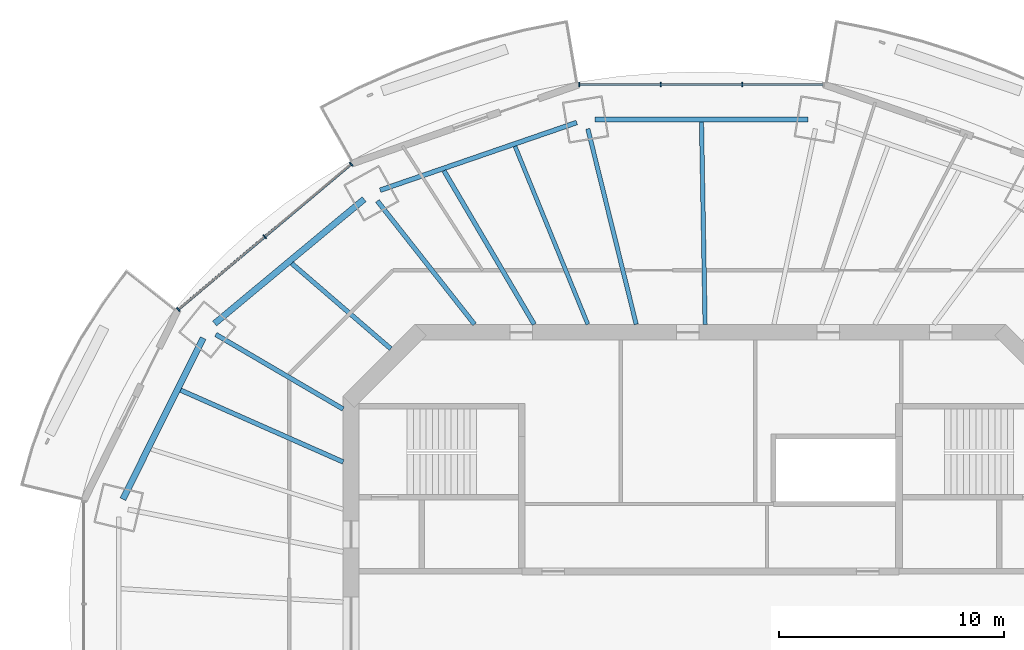
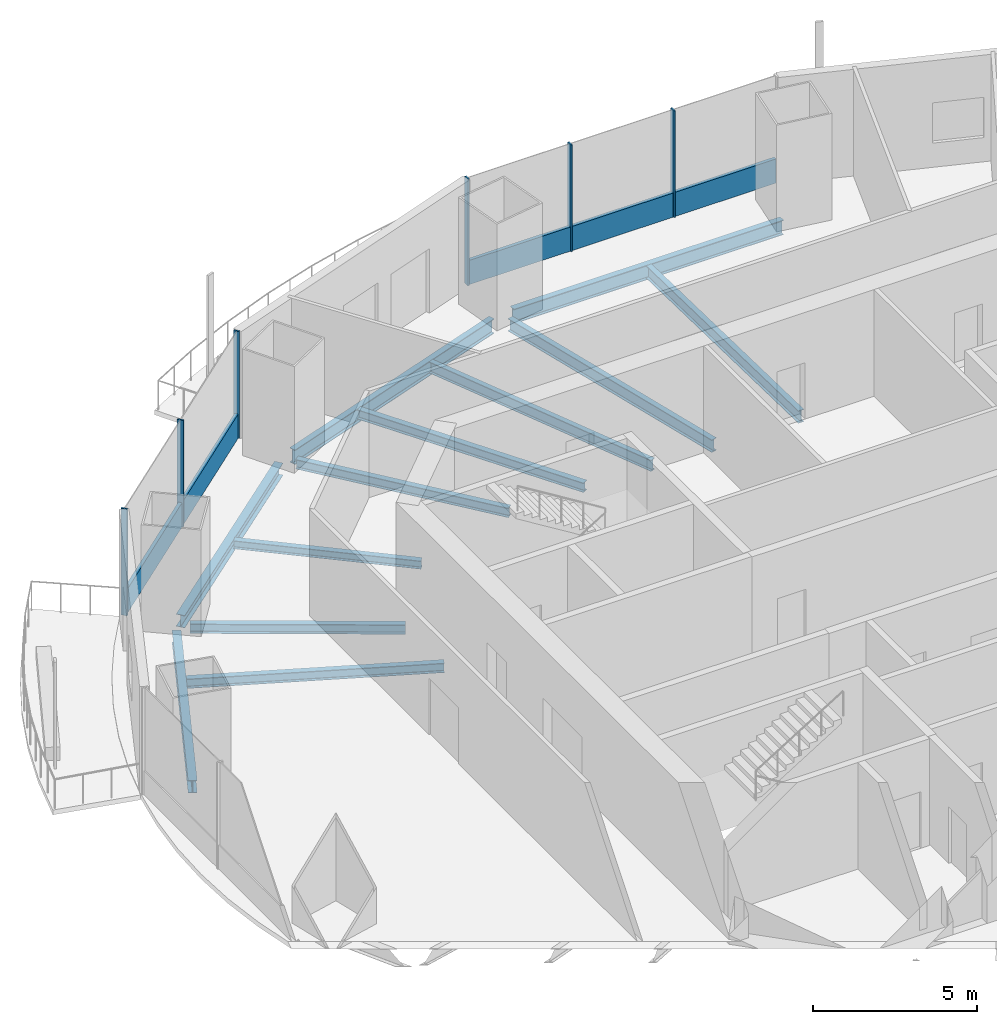
# One storey, part 5 of 16: 12 beams, 8 members, 2 elements without a shape of their own.
"""IFC4 building model written with IfcOpenShell, lengths in metres."""

from ifc_helpers import new_model, si_unit, direction, frame, origin, origin_2d, place, context, subcontext, project, spatial, rectangle, i_section, extrude, material, material_profile, profile_set, type_object, element, aggregate, save


model = new_model("IFC4")

# Units and contexts
model_context = context("Model", 3, precision=1e-05, world=origin(), true_north=direction((0.0, 1.0)))
body_context = subcontext(model_context, "Body", "Model", "MODEL_VIEW")
ifc_project = project(units=[si_unit("LENGTHUNIT", "METRE"), si_unit("AREAUNIT", "SQUARE_METRE"), si_unit("VOLUMEUNIT", "CUBIC_METRE"), si_unit("PLANEANGLEUNIT", "RADIAN"), si_unit("MASSUNIT", "GRAM", prefix="KILO")], contexts=[model_context])

# Site, building, storey
site_placement = place(None, origin())
site = spatial("IfcSite", under=ifc_project, at=site_placement, CompositionType="ELEMENT")
building_placement = place(site_placement, origin())
building = spatial("IfcBuilding", under=site, at=building_placement, Name="Marenthal Gate Tower", CompositionType="ELEMENT")
storey_placement = place(building_placement, frame((0.0, 0.0, 313.550048828125)))
storey = spatial("IfcBuildingStorey", under=building, at=storey_placement, Name="L70", CompositionType="ELEMENT", Elevation=313.550048828125)

# Curtain wall, members
ifc_material_1 = material(Name="Aluminium and glass", Category="aluminium")
curtain_wall_type = type_object("IfcCurtainWallType", Name="Curtain wall typical high", PredefinedType="NOTDEFINED", material=ifc_material_1)
curtain_wall_1_placement = place(storey_placement, origin())
curtain_wall_1 = element("IfcCurtainWall", 1, at=curtain_wall_1_placement, inside=storey, type_object=curtain_wall_type, Name="Curtain wall L70 bay 4", PredefinedType="NOTDEFINED")
ifc_material_2 = material(Name="Aluminium", Category="aluminium")
ifc_material_profile_1 = material_profile(ifc_material_2, rectangle(XDim=0.199951171875, YDim=0.06005859375, at=origin_2d()), Name="60x200 aluminium mullion")
ifc_profile_set_1 = profile_set([ifc_material_profile_1], Name="Aluminium")
member_type_1 = type_object("IfcMemberType", Name="Mullion 60x200 typical high", PredefinedType="MULLION", material=ifc_profile_set_1)
member_1_placement = place(storey_placement, frame((1.4130859375, 24.01904296875, 0.0), z_axis=(0.0, 0.0, 1.0), x_axis=(0.0, -1.0, 0.0)))
member_1 = element("IfcMember", 2, at=member_1_placement, type_object=member_type_1, Name="Mullion L70 bay 4.2", PredefinedType="MULLION", context=body_context, shape_type="SweptSolid", body=[
    extrude(rectangle(XDim=0.199951171875, YDim=0.06005859375, at=origin_2d()), origin(), (0.0, 0.0, 1.0), 3.969970703125),
])
member_2_placement = place(storey_placement, frame((-2.213134765625, 24.01904296875, 0.0), z_axis=(0.0, 0.0, 1.0), x_axis=(0.0, -1.0, 0.0)))
member_2 = element("IfcMember", 3, at=member_2_placement, type_object=member_type_1, Name="Mullion L70 bay 4.3", PredefinedType="MULLION", context=body_context, shape_type="SweptSolid", body=[
    extrude(rectangle(XDim=0.199951171875, YDim=0.06005859375, at=origin_2d()), origin(), (0.0, 0.0, 1.0), 3.969970703125),
])
member_3_placement = place(storey_placement, frame((-5.839111328125, 24.01904296875, 0.0), z_axis=(0.0, 0.0, 1.0), x_axis=(0.0, -1.0, 0.0)))
member_3 = element("IfcMember", 4, at=member_3_placement, type_object=member_type_1, Name="Mullion L70 bay 4.4", PredefinedType="MULLION", context=body_context, shape_type="SweptSolid", body=[
    extrude(rectangle(XDim=0.199951171875, YDim=0.06005859375, at=origin_2d()), origin(), (0.0, 0.0, 1.0), 3.969970703125),
])

curtain_wall_2_placement = place(storey_placement, origin())
curtain_wall_2 = element("IfcCurtainWall", 5, at=curtain_wall_2_placement, inside=storey, type_object=curtain_wall_type, Name="Curtain wall L70 bay 6", PredefinedType="NOTDEFINED")
member_4_placement = place(storey_placement, frame((-15.997802734375, 20.47998046875, 0.0), z_axis=(0.0, 0.0, 1.0), x_axis=(0.643570293048, -0.765387011848, 0.0)))
member_4 = element("IfcMember", 6, at=member_4_placement, type_object=member_type_1, Name="Mullion L70 bay 6.1", PredefinedType="MULLION", context=body_context, shape_type="SweptSolid", body=[
    extrude(rectangle(XDim=0.199951171875, YDim=0.06005859375, at=origin_2d()), origin(), (0.0, 0.0, 1.0), 3.969970703125),
])
member_5_placement = place(storey_placement, frame((-19.84228515625, 17.24755859375, 0.0), z_axis=(0.0, 0.0, 1.0), x_axis=(0.643570293048, -0.765387011848, 0.0)))
member_5 = element("IfcMember", 7, at=member_5_placement, type_object=member_type_1, Name="Mullion L70 bay 6.2", PredefinedType="MULLION", context=body_context, shape_type="SweptSolid", body=[
    extrude(rectangle(XDim=0.199951171875, YDim=0.06005859375, at=origin_2d()), origin(), (0.0, 0.0, 1.0), 3.969970703125),
])
member_6_placement = place(storey_placement, frame((-23.6865234375, 14.01513671875, 0.0), z_axis=(0.0, 0.0, 1.0), x_axis=(0.643570293048, -0.765387011848, 0.0)))
member_6 = element("IfcMember", 8, at=member_6_placement, type_object=member_type_1, Name="Mullion L70 bay 6.3", PredefinedType="MULLION", context=body_context, shape_type="SweptSolid", body=[
    extrude(rectangle(XDim=0.199951171875, YDim=0.06005859375, at=origin_2d()), origin(), (0.0, 0.0, 1.0), 3.969970703125),
])

# Member
ifc_material_3 = material(Name="Aluminium", Category="aluminium")
ifc_material_profile_2 = material_profile(ifc_material_3, rectangle(XDim=0.1201171875, YDim=0.89990234375, at=origin_2d()), Name="120x900 aluminium transom")
ifc_profile_set_2 = profile_set([ifc_material_profile_2], Name="Aluminium")
member_type_2 = type_object("IfcMemberType", Name="Transom 120x900 typical high", PredefinedType="USERDEFINED", material=ifc_profile_set_2)
member_7_placement = place(storey_placement, frame((5.00927734375, 24.01904296875, 0.449951171875), z_axis=(-1.0, 0.0, 0.0), x_axis=(0.0, -1.0, 0.0)))
member_7 = element("IfcMember", 9, at=member_7_placement, type_object=member_type_2, Name="Transom L70 bay 4", ObjectType="TRANSOM", PredefinedType="USERDEFINED", context=body_context, shape_type="SweptSolid", body=[
    extrude(rectangle(XDim=0.1201171875, YDim=0.89990234375, at=origin_2d()), origin(), (0.0, 0.0, 1.0), 10.818359375),
])

aggregate(curtain_wall_1, [member_1, member_2, member_3, member_7])

member_8_placement = place(storey_placement, frame((-16.020751953125, 20.460693359375, 0.449951171875), z_axis=(-0.765383983227, -0.643573894918, 0.0), x_axis=(0.643573894918, -0.765383983227, 0.0)))
member_8 = element("IfcMember", 10, at=member_8_placement, type_object=member_type_2, Name="Transom L70 bay 6", ObjectType="TRANSOM", PredefinedType="USERDEFINED", context=body_context, shape_type="SweptSolid", body=[
    extrude(rectangle(XDim=0.1201171875, YDim=0.89990234375, at=origin_2d()), origin(), (0.0, 0.0, 1.0), 9.9853515625),
])

aggregate(curtain_wall_2, [member_4, member_5, member_6, member_8])

# Beams
ifc_material_4 = material(Name="Steel S355", Category="steel")
ifc_material_profile_3 = material_profile(ifc_material_4, i_section(OverallWidth=0.202880859375, OverallDepth=0.302001953125, WebThickness=0.007568359375, FlangeThickness=0.01318359375, FilletRadius=0.0126953125, at=origin_2d()), Name="W310X60")
ifc_profile_set_3 = profile_set([ifc_material_profile_3], Name="Steel S355")
beam_type_1 = type_object("IfcBeamType", Name="W310X60 beam", PredefinedType="BEAM", material=ifc_profile_set_3)
beam_1_placement = place(storey_placement, frame((-18.63916015625, 16.0595703125, -0.3310546875), z_axis=(0.757583145565, -0.652738674782, 0.0), x_axis=(0.652738674782, 0.757583145565, 0.0)))
element("IfcBeam", 11, at=beam_1_placement, inside=storey, type_object=beam_type_1, Name="BM-L70-25", PredefinedType="BEAM", context=body_context, shape_type="SweptSolid", body=[
    extrude(i_section(OverallWidth=0.202880859375, OverallDepth=0.302001953125, WebThickness=0.007568359375, FlangeThickness=0.01318359375, FilletRadius=0.0126953125, at=origin_2d()), origin(), (0.0, 0.0, 1.0), 5.81689453125),
])
ifc_material_5 = material(Name="Steel S355", Category="steel")
ifc_material_profile_4 = material_profile(ifc_material_5, i_section(OverallWidth=0.205078125, OverallDepth=0.35302734375, WebThickness=0.009521484375, FlangeThickness=0.016845703125, FilletRadius=0.014892578125, at=origin_2d()), Name="W360X79")
ifc_profile_set_4 = profile_set([ifc_material_profile_4], Name="Steel S355")
beam_type_2 = type_object("IfcBeamType", Name="W360X79 beam", PredefinedType="BEAM", material=ifc_profile_set_4)
beam_2_placement = place(storey_placement, frame((-14.826904296875, 18.84228515625, -0.3564453125), z_axis=(0.618416886794, -0.785850210999, 0.0), x_axis=(0.785850210999, 0.618416886794, 0.0)))
element("IfcBeam", 12, at=beam_2_placement, inside=storey, type_object=beam_type_2, Name="BM-L70-06", PredefinedType="BEAM", context=body_context, shape_type="SweptSolid", body=[
    extrude(i_section(OverallWidth=0.205078125, OverallDepth=0.35302734375, WebThickness=0.009521484375, FlangeThickness=0.016845703125, FilletRadius=0.014892578125, at=origin_2d()), origin(), (0.0, 0.0, 1.0), 6.98876953125),
])
beam_3_placement = place(storey_placement, frame((-22.020263671875, 12.898193359375, -0.3564453125), z_axis=(0.86287063036, -0.505424846304, 0.0), x_axis=(0.505424846304, 0.86287063036, 0.0)))
element("IfcBeam", 13, at=beam_3_placement, inside=storey, type_object=beam_type_2, Name="BM-L70-07", PredefinedType="BEAM", context=body_context, shape_type="SweptSolid", body=[
    extrude(i_section(OverallWidth=0.205078125, OverallDepth=0.35302734375, WebThickness=0.009521484375, FlangeThickness=0.016845703125, FilletRadius=0.014892578125, at=origin_2d()), origin(), (0.0, 0.0, 1.0), 6.5712890625),
])
beam_4_placement = place(storey_placement, frame((-11.863525390625, 20.18701171875, -0.3564453125), z_axis=(0.506655469435, -0.862148615548, 0.0), x_axis=(0.862148615548, 0.506655469435, 0.0)))
element("IfcBeam", 14, at=beam_4_placement, inside=storey, type_object=beam_type_2, Name="BM-L70-24", PredefinedType="BEAM", context=body_context, shape_type="SweptSolid", body=[
    extrude(i_section(OverallWidth=0.205078125, OverallDepth=0.35302734375, WebThickness=0.009521484375, FlangeThickness=0.016845703125, FilletRadius=0.014892578125, at=origin_2d()), origin(), (0.0, 0.0, 1.0), 7.93017578125),
])
beam_5_placement = place(storey_placement, frame((-23.584716796875, 10.419189453125, -0.3564453125), z_axis=(0.914705445028, -0.404121205626, 0.0), x_axis=(0.404121205626, 0.914705445028, 0.0)))
element("IfcBeam", 15, at=beam_5_placement, inside=storey, type_object=beam_type_2, Name="BM-L70-26", PredefinedType="BEAM", context=body_context, shape_type="SweptSolid", body=[
    extrude(i_section(OverallWidth=0.205078125, OverallDepth=0.35302734375, WebThickness=0.009521484375, FlangeThickness=0.016845703125, FilletRadius=0.014892578125, at=origin_2d()), origin(), (0.0, 0.0, 1.0), 7.9091796875),
])
ifc_material_6 = material(Name="Steel S355", Category="steel")
ifc_material_profile_5 = material_profile(ifc_material_6, i_section(OverallWidth=0.180908203125, OverallDepth=0.4169921875, WebThickness=0.010986328125, FlangeThickness=0.018310546875, FilletRadius=0.01025390625, at=origin_2d()), Name="W410X85")
ifc_profile_set_5 = profile_set([ifc_material_profile_5], Name="Steel S355")
beam_type_3 = type_object("IfcBeamType", Name="W410X85 beam", PredefinedType="BEAM", material=ifc_profile_set_5)
beam_6_placement = place(storey_placement, frame((-8.699462890625, 21.276611328125, -0.388427734375), z_axis=(0.378462993646, -0.925616422953, 0.0), x_axis=(0.925616422953, 0.378462993646, 0.0)))
element("IfcBeam", 16, at=beam_6_placement, inside=storey, type_object=beam_type_3, Name="BM-L70-23", PredefinedType="BEAM", context=body_context, shape_type="SweptSolid", body=[
    extrude(i_section(OverallWidth=0.180908203125, OverallDepth=0.4169921875, WebThickness=0.010986328125, FlangeThickness=0.018310546875, FilletRadius=0.01025390625, at=origin_2d()), origin(), (0.0, 0.0, 1.0), 8.5634765625),
])
ifc_material_7 = material(Name="Steel S355", Category="steel")
ifc_material_profile_6 = material_profile(ifc_material_7, i_section(OverallWidth=0.279052734375, OverallDepth=0.4619140625, WebThickness=0.0107421875, FlangeThickness=0.017333984375, FilletRadius=0.010009765625, at=origin_2d()), Name="W460X113")
ifc_profile_set_6 = profile_set([ifc_material_profile_6], Name="Steel S355")
beam_type_4 = type_object("IfcBeamType", Name="W460X113 beam", PredefinedType="BEAM", material=ifc_profile_set_6)
beam_7_placement = place(storey_placement, frame((-15.4169921875, 18.919921875, -0.4111328125), z_axis=(-0.768962779386, -0.639293550662, 0.0), x_axis=(0.639293550662, -0.768962779386, 0.0)))
element("IfcBeam", 17, at=beam_7_placement, inside=storey, type_object=beam_type_4, Name="BM-L70-46", PredefinedType="BEAM", context=body_context, shape_type="SweptSolid", body=[
    extrude(i_section(OverallWidth=0.279052734375, OverallDepth=0.4619140625, WebThickness=0.0107421875, FlangeThickness=0.017333984375, FilletRadius=0.010009765625, at=origin_2d()), origin(), (0.0, 0.0, 1.0), 8.656982421875),
])
beam_8_placement = place(storey_placement, frame((-22.58349609375, 12.7412109375, -0.4111328125), z_axis=(-0.445957794183, -0.895053990443, 0.0), x_axis=(0.895053990443, -0.445957794183, 0.0)))
element("IfcBeam", 18, at=beam_8_placement, inside=storey, type_object=beam_type_4, Name="BM-L70-47", PredefinedType="BEAM", context=body_context, shape_type="SweptSolid", body=[
    extrude(i_section(OverallWidth=0.279052734375, OverallDepth=0.4619140625, WebThickness=0.0107421875, FlangeThickness=0.017333984375, FilletRadius=0.010009765625, at=origin_2d()), origin(), (0.0, 0.0, 1.0), 8.012451171875),
])
ifc_material_8 = material(Name="Steel S355", Category="steel")
ifc_material_profile_7 = material_profile(ifc_material_8, i_section(OverallWidth=0.193115234375, OverallDepth=0.467041015625, WebThickness=0.011474609375, FlangeThickness=0.01904296875, FilletRadius=0.010009765625, at=origin_2d()), Name="W460X97")
ifc_profile_set_7 = profile_set([ifc_material_profile_7], Name="Steel S355")
beam_type_5 = type_object("IfcBeamType", Name="W460X97 beam", PredefinedType="BEAM", material=ifc_profile_set_7)
beam_9_placement = place(storey_placement, frame((-5.4580078125, 22.05419921875, -0.41357421875), z_axis=(0.240228606672, -0.970716341954, 0.0), x_axis=(0.970716341954, 0.240228606672, 0.0)))
element("IfcBeam", 19, at=beam_9_placement, inside=storey, type_object=beam_type_5, Name="BM-L70-05", PredefinedType="BEAM", context=body_context, shape_type="SweptSolid", body=[
    extrude(i_section(OverallWidth=0.193115234375, OverallDepth=0.467041015625, WebThickness=0.011474609375, FlangeThickness=0.01904296875, FilletRadius=0.010009765625, at=origin_2d()), origin(), (0.0, 0.0, 1.0), 8.966796875),
])
beam_10_placement = place(storey_placement, frame((-0.398193359375, 22.36328125, -0.41357421875), z_axis=(0.017793379577, -0.99984168529, 0.0), x_axis=(0.99984168529, 0.017793379577, 0.0)))
element("IfcBeam", 20, at=beam_10_placement, inside=storey, type_object=beam_type_5, Name="BM-L70-22", PredefinedType="BEAM", context=body_context, shape_type="SweptSolid", body=[
    extrude(i_section(OverallWidth=0.193115234375, OverallDepth=0.467041015625, WebThickness=0.011474609375, FlangeThickness=0.01904296875, FilletRadius=0.010009765625, at=origin_2d()), origin(), (0.0, 0.0, 1.0), 9.0146484375),
])
ifc_material_9 = material(Name="Steel S355", Category="steel")
ifc_material_profile_8 = material_profile(ifc_material_9, i_section(OverallWidth=0.2119140625, OverallDepth=0.5439453125, WebThickness=0.01318359375, FlangeThickness=0.021240234375, FilletRadius=0.0126953125, at=origin_2d()), Name="W530X123")
ifc_profile_set_8 = profile_set([ifc_material_profile_8], Name="Steel S355")
beam_type_6 = type_object("IfcBeamType", Name="W530X123 beam", PredefinedType="BEAM", material=ifc_profile_set_8)
beam_11_placement = place(storey_placement, frame((4.3486328125, 22.469482421875, -0.4521484375), z_axis=(-1.0, 0.0, 0.0), x_axis=(0.0, -1.0, 0.0)))
element("IfcBeam", 21, at=beam_11_placement, inside=storey, type_object=beam_type_6, Name="BM-L70-44", PredefinedType="BEAM", context=body_context, shape_type="SweptSolid", body=[
    extrude(i_section(OverallWidth=0.2119140625, OverallDepth=0.5439453125, WebThickness=0.01318359375, FlangeThickness=0.021240234375, FilletRadius=0.0126953125, at=origin_2d()), origin(), (0.0, 0.0, 1.0), 9.497314453125),
])
beam_12_placement = place(storey_placement, frame((-5.951171875, 22.3349609375, -0.4521484375), z_axis=(-0.945520555147, -0.325562405377, 0.0), x_axis=(0.325562405377, -0.945520555147, 0.0)))
element("IfcBeam", 22, at=beam_12_placement, inside=storey, type_object=beam_type_6, Name="BM-L70-45", PredefinedType="BEAM", context=body_context, shape_type="SweptSolid", body=[
    extrude(i_section(OverallWidth=0.2119140625, OverallDepth=0.5439453125, WebThickness=0.01318359375, FlangeThickness=0.021240234375, FilletRadius=0.0126953125, at=origin_2d()), origin(), (0.0, 0.0, 1.0), 9.259033203125),
])

save(model, "model.ifc")
